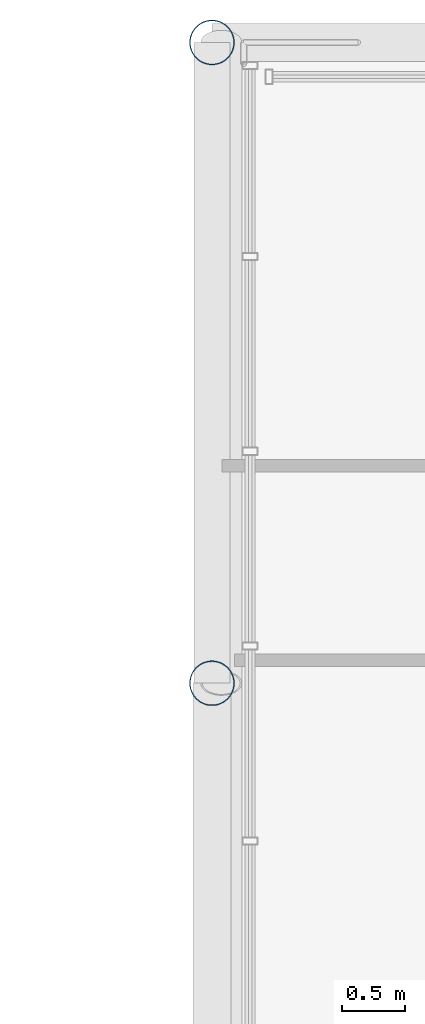
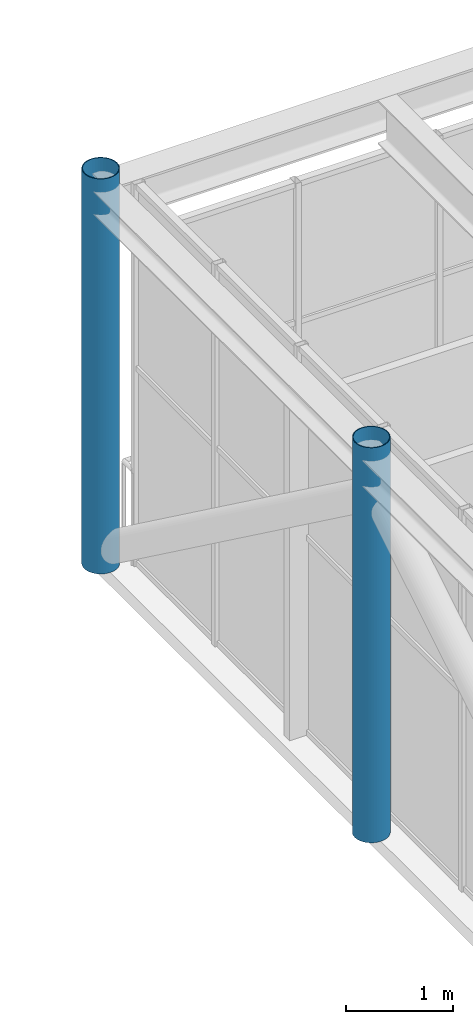
# One storey, part 7 of 111: 2 columns.
"""IFC4 building model written with IfcOpenShell, lengths in metres."""

from ifc_helpers import new_model, si_unit, direction, frame, origin, origin_2d, place, context, subcontext, project, spatial, hollow_circle, extrude, material, material_profile, profile_set, type_object, element, save


model = new_model("IFC4")

# Units and contexts
model_context = context("Model", 3, precision=1e-05, world=origin(), true_north=direction((0.0, 1.0)))
body_context = subcontext(model_context, "Body", "Model", "MODEL_VIEW")
ifc_project = project(units=[si_unit("LENGTHUNIT", "METRE"), si_unit("AREAUNIT", "SQUARE_METRE"), si_unit("VOLUMEUNIT", "CUBIC_METRE"), si_unit("PLANEANGLEUNIT", "RADIAN"), si_unit("MASSUNIT", "GRAM", prefix="KILO")], contexts=[model_context])

# Site, building, storey
site_placement = place(None, origin())
site = spatial("IfcSite", under=ifc_project, at=site_placement, CompositionType="ELEMENT")
building_placement = place(site_placement, origin())
building = spatial("IfcBuilding", under=site, at=building_placement, Name="Kallimachos Central Library", CompositionType="ELEMENT")
storey_placement = place(building_placement, frame((0.0, 0.0, 14.39990234375)))
storey = spatial("IfcBuildingStorey", under=building, at=storey_placement, Name="L03", CompositionType="ELEMENT", Elevation=14.39990234375)

# Columns
ifc_material = material(Name="Steel S355J2H", Category="steel")
ifc_material_profile = material_profile(ifc_material, hollow_circle(Radius=0.177734375, WallThickness=0.008056640625, at=origin_2d()), Name="CHS 355.6x8")
ifc_profile_set = profile_set([ifc_material_profile], Name="Steel S355J2H")
column_type = type_object("IfcColumnType", Name="CHS 355.6x8 column", PredefinedType="COLUMN", material=ifc_profile_set)
for number, where, z_axis, x_axis, name in (
    (1, (65.5, 121.64990234375, 0.0), (0.0, 0.0, 1.0), (1.0, 0.0, 0.0), "V1-COL-L03-039"),
    (2, (65.5, 116.60009765625, 0.0), (0.0, 0.0, 1.0), (1.0, 0.0, 0.0), "V1-COL-L03-041"),
):
    element("IfcColumn", number, at=place(storey_placement, frame(where, z_axis=z_axis, x_axis=x_axis)), inside=storey, type_object=column_type, Name=name, PredefinedType="COLUMN", context=body_context, shape_type="SweptSolid", body=[
        extrude(hollow_circle(Radius=0.177734375, WallThickness=0.008056640625, at=origin_2d()), origin(), (0.0, 0.0, 1.0), 4.5),
    ])

save(model, "model.ifc")
